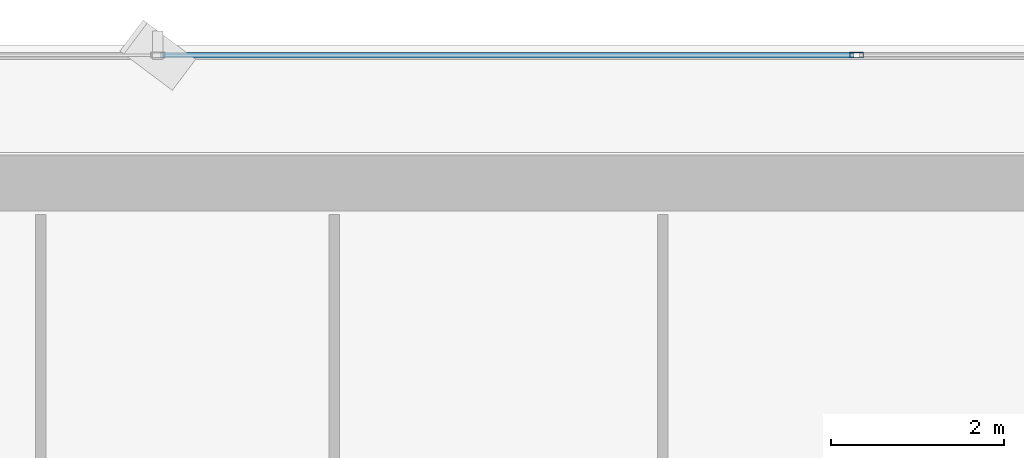
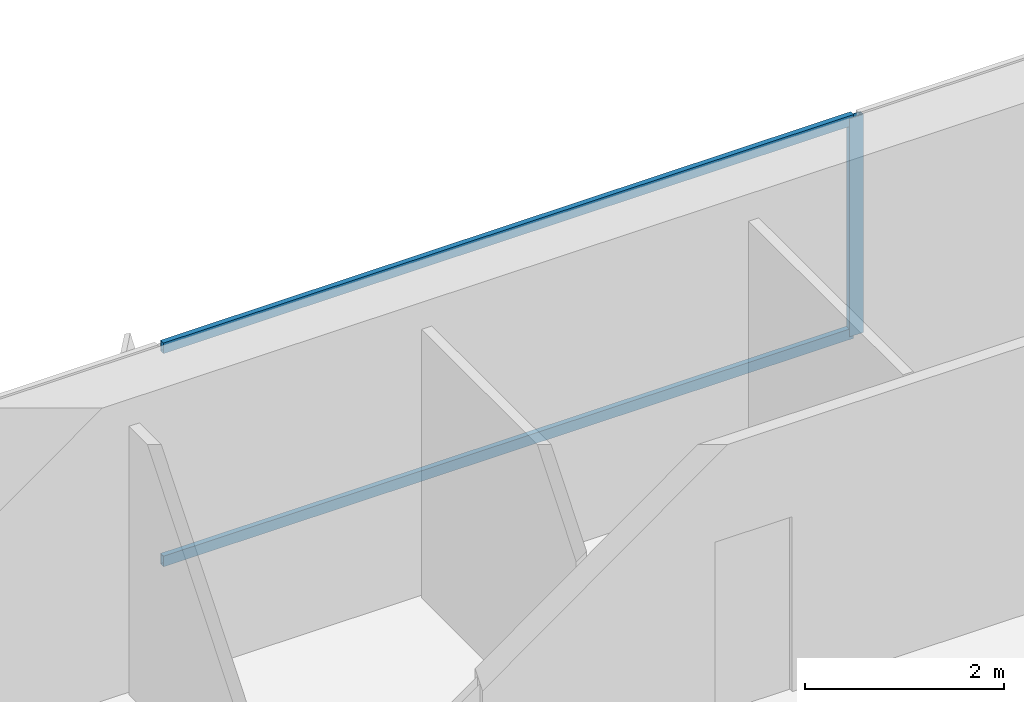
# One storey, part 22 of 36: 3 members, 1 element without a shape of its own.
"""IFC4 building model written with IfcOpenShell, lengths in metres."""

from ifc_helpers import new_model, si_unit, direction, frame, origin, origin_2d, place, context, subcontext, project, spatial, hollow_rectangle, extrude, source, transform, mapped, material, layer, layer_set, material_profile, profile_set, type_object, element, aggregate, save


model = new_model("IFC4")

# Units and contexts
model_context = context("Model", 3, precision=1e-05, world=origin(), true_north=direction((0.0, 1.0)))
body_context = subcontext(model_context, "Body", "Model", "MODEL_VIEW")
ifc_project = project(units=[si_unit("LENGTHUNIT", "METRE"), si_unit("AREAUNIT", "SQUARE_METRE"), si_unit("VOLUMEUNIT", "CUBIC_METRE"), si_unit("PLANEANGLEUNIT", "RADIAN"), si_unit("MASSUNIT", "GRAM", prefix="KILO")], contexts=[model_context])

# Site, building, storey
site_placement = place(None, origin())
site = spatial("IfcSite", under=ifc_project, at=site_placement, CompositionType="ELEMENT")
building_placement = place(site_placement, origin())
building = spatial("IfcBuilding", under=site, at=building_placement, Name="Sumidabori Civic Tower", CompositionType="ELEMENT")
storey_placement = place(building_placement, frame((0.0, 0.0, 120.800048828125)))
storey = spatial("IfcBuildingStorey", under=building, at=storey_placement, Name="L31", CompositionType="ELEMENT", Elevation=120.800048828125)

# Curtain wall, members
ifc_material = material(Name="Anodised Bronze Aluminium AW-6063-T6", Category="aluminium")
ifc_layer = layer(ifc_material, 0.179931640625, Name="Anodised Bronze Aluminium AW-6063-T6")
ifc_layer_set = layer_set([ifc_layer], Name="Anodised Bronze Aluminium AW-6063-T6")
curtain_wall_type = type_object("IfcCurtainWallType", Name="CW-SYS-3", PredefinedType="NOTDEFINED", material=ifc_layer_set)
curtain_wall_placement = place(storey_placement, origin())
curtain_wall = element("IfcCurtainWall", 1, at=curtain_wall_placement, inside=storey, type_object=curtain_wall_type, Name="Curtain Wall CW:L31:R07", PredefinedType="NOTDEFINED")
ifc_material_profile_1 = material_profile(ifc_material, hollow_rectangle(XDim=0.06005859375, YDim=0.1298828125, WallThickness=0.0048828125, at=origin_2d()), Name="ALU TRANSOM 130x60")
ifc_profile_set_1 = profile_set([ifc_material_profile_1], Name="Anodised Bronze Aluminium AW-6063-T6")
member_type_1 = type_object("IfcMemberType", Name="CW-TRN-130", PredefinedType="USERDEFINED", material=ifc_profile_set_1)
shared_shape_1 = source(origin(), body_context, "Body", "SweptSolid", [
    extrude(hollow_rectangle(XDim=0.06005859375, YDim=0.1298828125, WallThickness=0.0048828125, at=origin_2d()), origin(), (0.0, 0.0, 1.0), 8.02294921875),
])
member_1_placement = place(storey_placement, frame((4.011474609375, 25.280029296875, 0.030029296875), z_axis=(-1.0, 0.0, 0.0), x_axis=(0.0, -1.0, 0.0)))
member_1 = element("IfcMember", 2, at=member_1_placement, type_object=member_type_1, Name="CW-3 transom 3.1", ObjectType="TRANSOM", PredefinedType="USERDEFINED", context=body_context, shape_type="MappedRepresentation", body=[
    mapped(shared_shape_1, transform((0.0, 0.0, 0.0), x_axis=(1.0, 0.0, 0.0), y_axis=(0.0, 1.0, 0.0), z_axis=(0.0, 0.0, 1.0), scale=1.0)),
])
member_2_placement = place(storey_placement, frame((4.011474609375, 25.280029296875, 2.64990234375), z_axis=(-1.0, 0.0, 0.0), x_axis=(0.0, -1.0, 0.0)))
member_2 = element("IfcMember", 3, at=member_2_placement, type_object=member_type_1, Name="CW-3 transom 3.2", ObjectType="TRANSOM", PredefinedType="USERDEFINED", context=body_context, shape_type="MappedRepresentation", body=[
    mapped(shared_shape_1, transform((0.0, 0.0, 0.0), x_axis=(1.0, 0.0, 0.0), y_axis=(0.0, 1.0, 0.0), z_axis=(0.0, 0.0, 1.0), scale=1.0)),
])
ifc_material_profile_2 = material_profile(ifc_material, hollow_rectangle(XDim=0.06494140625, YDim=0.159912109375, WallThickness=0.0048828125, at=origin_2d()), Name="ALU MULLION 160x65")
ifc_profile_set_2 = profile_set([ifc_material_profile_2], Name="Anodised Bronze Aluminium AW-6063-T6")
member_type_2 = type_object("IfcMemberType", Name="CW-MUL-160", PredefinedType="MULLION", material=ifc_profile_set_2)
shared_shape_2 = source(origin(), body_context, "Body", "SweptSolid", [
    extrude(hollow_rectangle(XDim=0.06494140625, YDim=0.159912109375, WallThickness=0.0048828125, at=origin_2d()), origin(), (0.0, 0.0, 1.0), 2.679931640625),
])
member_3_placement = place(storey_placement, frame((4.0439453125, 25.280029296875, 0.0), z_axis=(0.0, 0.0, 1.0), x_axis=(0.0, -1.0, 0.0)))
member_3 = element("IfcMember", 4, at=member_3_placement, type_object=member_type_2, Name="CW-3 mullion 3", PredefinedType="MULLION", context=body_context, shape_type="MappedRepresentation", body=[
    mapped(shared_shape_2, transform((0.0, 0.0, 0.0), x_axis=(1.0, 0.0, 0.0), y_axis=(0.0, 1.0, 0.0), z_axis=(0.0, 0.0, 1.0), scale=1.0)),
])
aggregate(curtain_wall, [member_3, member_1, member_2])

save(model, "model.ifc")
